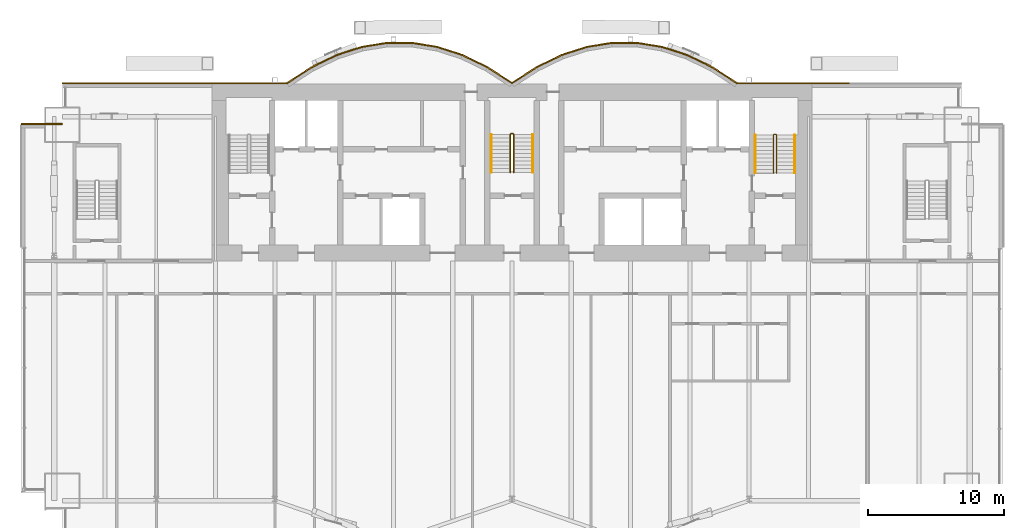
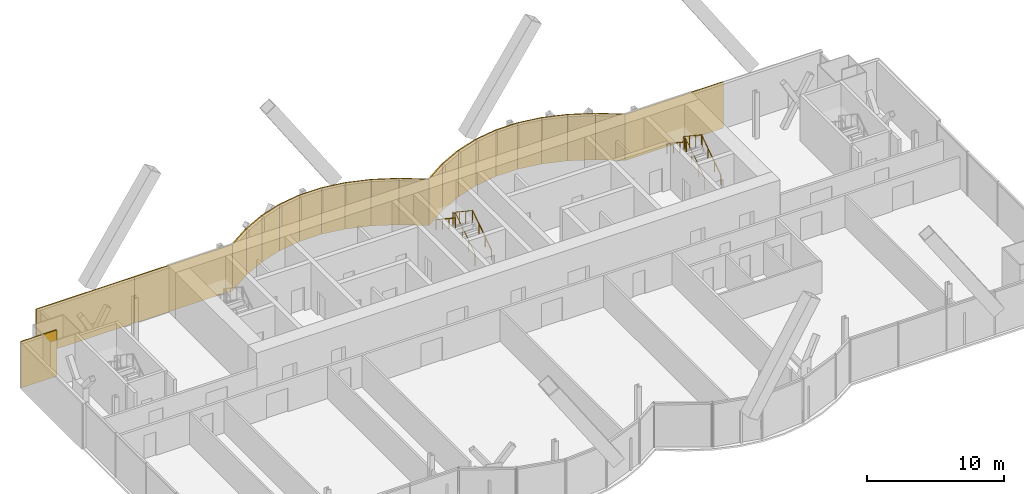
# One storey, part 20 of 21: 22 coverings, 6 railings.
"""IFC4 building model written with IfcOpenShell, lengths in metres."""

from ifc_helpers import new_model, si_unit, direction, frame, origin, origin_2d, place, context, subcontext, project, spatial, rectangle, circle, extrude, material, layer, layer_set, type_object, element, save


model = new_model("IFC4")

# Units and contexts
model_context = context("Model", 3, precision=1e-05, world=origin(), true_north=direction((0.0, 1.0)))
body_context = subcontext(model_context, "Body", "Model", "MODEL_VIEW")
ifc_project = project(units=[si_unit("LENGTHUNIT", "METRE"), si_unit("AREAUNIT", "SQUARE_METRE"), si_unit("VOLUMEUNIT", "CUBIC_METRE"), si_unit("PLANEANGLEUNIT", "RADIAN"), si_unit("MASSUNIT", "GRAM", prefix="KILO")], contexts=[model_context])

# Site, building, storey
site_placement = place(None, origin())
site = spatial("IfcSite", under=ifc_project, at=site_placement, CompositionType="ELEMENT")
building_placement = place(site_placement, origin())
building = spatial("IfcBuilding", under=site, at=building_placement, Name="Bicima Exchange Tower", CompositionType="ELEMENT")
storey_placement = place(building_placement, frame((0.0, 0.0, 195.0)))
storey = spatial("IfcBuildingStorey", under=building, at=storey_placement, Name="L43", CompositionType="ELEMENT", Elevation=195.0)

# Coverings
ifc_material_1 = material(Name="Bronze metal cladding")
ifc_layer_1 = layer(ifc_material_1, 0.004)
ifc_material_2 = material(Name="Ventilated cavity")
ifc_layer_2 = layer(ifc_material_2, 0.06)
ifc_material_3 = material(Name="Galvanised steel rail and mineral wool", Category="steel")
ifc_layer_3 = layer(ifc_material_3, 0.036)
ifc_layer_set = layer_set([ifc_layer_1, ifc_layer_2, ifc_layer_3], Name="Ventilated cavity")
covering_type = type_object("IfcCoveringType", Name="Bronze metal cladding panel 100", PredefinedType="CLADDING", material=ifc_layer_set)
covering_1_placement = place(storey_placement, frame((20.625, 0.050048828125, -0.150146484375), z_axis=(0.0, 0.0, 1.0), x_axis=(-1.0, 0.0, 0.0)))
element("IfcCovering", 1, at=covering_1_placement, inside=storey, type_object=covering_type, Name="Bronze cladding L43 1.2", PredefinedType="CLADDING", context=body_context, shape_type="SweptSolid", body=[
    extrude(rectangle(XDim=8.25, YDim=0.10009765625, at=origin_2d()), origin(), (0.0, 0.0, 1.0), 4.10009765625),
])
covering_2_placement = place(storey_placement, frame((15.610595703125, 0.634521484375, -0.150146484375), z_axis=(0.0, 0.0, 1.0), x_axis=(-0.839790466384, 0.542910648791, 0.0)))
element("IfcCovering", 2, at=covering_2_placement, inside=storey, type_object=covering_type, Name="Bronze cladding L43 2.1", PredefinedType="CLADDING", context=body_context, shape_type="SweptSolid", body=[
    extrude(rectangle(XDim=2.18310546875, YDim=0.10009765625, at=origin_2d()), origin(), (0.0, 0.0, 1.0), 4.10009765625),
])
covering_3_placement = place(storey_placement, frame((13.771728515625, 1.674560546875, -0.150146484375), z_axis=(0.0, 0.0, 1.0), x_axis=(-0.899818346812, 0.436264762204, 0.0)))
element("IfcCovering", 3, at=covering_3_placement, inside=storey, type_object=covering_type, Name="Bronze cladding L43 3.1", PredefinedType="CLADDING", context=body_context, shape_type="SweptSolid", body=[
    extrude(rectangle(XDim=2.03759765625, YDim=0.10009765625, at=origin_2d()), origin(), (0.0, 0.0, 1.0), 4.10009765625),
])
covering_4_placement = place(storey_placement, frame((11.931884765625, 2.41796875, -0.150146484375), z_axis=(0.0, 0.0, 1.0), x_axis=(-0.951524642381, 0.307572519808, 0.0)))
element("IfcCovering", 4, at=covering_4_placement, inside=storey, type_object=covering_type, Name="Bronze cladding L43 4.1", PredefinedType="CLADDING", context=body_context, shape_type="SweptSolid", body=[
    extrude(rectangle(XDim=1.9267578125, YDim=0.10009765625, at=origin_2d()), origin(), (0.0, 0.0, 1.0), 4.10009765625),
])
covering_5_placement = place(storey_placement, frame((10.09130859375, 2.8642578125, -0.150146484375), z_axis=(0.0, 0.0, 1.0), x_axis=(-0.987189786347, 0.159550386184, 0.0)))
element("IfcCovering", 5, at=covering_5_placement, inside=storey, type_object=covering_type, Name="Bronze cladding L43 5.1", PredefinedType="CLADDING", context=body_context, shape_type="SweptSolid", body=[
    extrude(rectangle(XDim=1.857177734375, YDim=0.10009765625, at=origin_2d()), origin(), (0.0, 0.0, 1.0), 4.10009765625),
])
covering_6_placement = place(storey_placement, frame((8.25, 3.012939453125, -0.150146484375), z_axis=(0.0, 0.0, 1.0), x_axis=(-1.0, 0.0, 0.0)))
element("IfcCovering", 6, at=covering_6_placement, inside=storey, type_object=covering_type, Name="Bronze cladding L43 6.1", PredefinedType="CLADDING", context=body_context, shape_type="SweptSolid", body=[
    extrude(rectangle(XDim=1.83349609375, YDim=0.10009765625, at=origin_2d()), origin(), (0.0, 0.0, 1.0), 4.10009765625),
])
covering_7_placement = place(storey_placement, frame((6.40869140625, 2.8642578125, -0.150146484375), z_axis=(0.0, 0.0, 1.0), x_axis=(-0.987189786347, -0.159550386184, 0.0)))
element("IfcCovering", 7, at=covering_7_placement, inside=storey, type_object=covering_type, Name="Bronze cladding L43 7.1", PredefinedType="CLADDING", context=body_context, shape_type="SweptSolid", body=[
    extrude(rectangle(XDim=1.857177734375, YDim=0.10009765625, at=origin_2d()), origin(), (0.0, 0.0, 1.0), 4.10009765625),
])
covering_8_placement = place(storey_placement, frame((4.568115234375, 2.41796875, -0.150146484375), z_axis=(0.0, 0.0, 1.0), x_axis=(-0.951524642381, -0.307572519808, 0.0)))
element("IfcCovering", 8, at=covering_8_placement, inside=storey, type_object=covering_type, Name="Bronze cladding L43 8.1", PredefinedType="CLADDING", context=body_context, shape_type="SweptSolid", body=[
    extrude(rectangle(XDim=1.9267578125, YDim=0.10009765625, at=origin_2d()), origin(), (0.0, 0.0, 1.0), 4.10009765625),
])
covering_9_placement = place(storey_placement, frame((2.728271484375, 1.674560546875, -0.150146484375), z_axis=(0.0, 0.0, 1.0), x_axis=(-0.899818346812, -0.436264762204, 0.0)))
element("IfcCovering", 9, at=covering_9_placement, inside=storey, type_object=covering_type, Name="Bronze cladding L43 9.1", PredefinedType="CLADDING", context=body_context, shape_type="SweptSolid", body=[
    extrude(rectangle(XDim=2.03759765625, YDim=0.10009765625, at=origin_2d()), origin(), (0.0, 0.0, 1.0), 4.10009765625),
])
for number, where, z_axis, x_axis, name in (
    (10, (0.889404296875, 0.634521484375, -0.150146484375), (0.0, 0.0, 1.0), (-0.839790466384, -0.542910648791, 0.0), "Bronze cladding L43 10.1"),
    (11, (-0.889404296875, 0.634521484375, -0.150146484375), (0.0, 0.0, 1.0), (-0.839790466384, 0.542910648791, 0.0), "Bronze cladding L43 11.1"),
):
    element("IfcCovering", number, at=place(storey_placement, frame(where, z_axis=z_axis, x_axis=x_axis)), inside=storey, type_object=covering_type, Name=name, PredefinedType="CLADDING", context=body_context, shape_type="SweptSolid", body=[
        extrude(rectangle(XDim=2.18310546875, YDim=0.10009765625, at=origin_2d()), origin(), (0.0, 0.0, 1.0), 4.10009765625),
    ])
covering_10_placement = place(storey_placement, frame((-2.728271484375, 1.674560546875, -0.150146484375), z_axis=(0.0, 0.0, 1.0), x_axis=(-0.899818346812, 0.436264762204, 0.0)))
element("IfcCovering", 12, at=covering_10_placement, inside=storey, type_object=covering_type, Name="Bronze cladding L43 12.1", PredefinedType="CLADDING", context=body_context, shape_type="SweptSolid", body=[
    extrude(rectangle(XDim=2.03759765625, YDim=0.10009765625, at=origin_2d()), origin(), (0.0, 0.0, 1.0), 4.10009765625),
])
covering_11_placement = place(storey_placement, frame((-4.568115234375, 2.41796875, -0.150146484375), z_axis=(0.0, 0.0, 1.0), x_axis=(-0.951524642381, 0.307572519808, 0.0)))
element("IfcCovering", 13, at=covering_11_placement, inside=storey, type_object=covering_type, Name="Bronze cladding L43 13.1", PredefinedType="CLADDING", context=body_context, shape_type="SweptSolid", body=[
    extrude(rectangle(XDim=1.9267578125, YDim=0.10009765625, at=origin_2d()), origin(), (0.0, 0.0, 1.0), 4.10009765625),
])
covering_12_placement = place(storey_placement, frame((-6.40869140625, 2.8642578125, -0.150146484375), z_axis=(0.0, 0.0, 1.0), x_axis=(-0.987189786347, 0.159550386184, 0.0)))
element("IfcCovering", 14, at=covering_12_placement, inside=storey, type_object=covering_type, Name="Bronze cladding L43 14.1", PredefinedType="CLADDING", context=body_context, shape_type="SweptSolid", body=[
    extrude(rectangle(XDim=1.857177734375, YDim=0.10009765625, at=origin_2d()), origin(), (0.0, 0.0, 1.0), 4.10009765625),
])
covering_13_placement = place(storey_placement, frame((-8.25, 3.012939453125, -0.150146484375), z_axis=(0.0, 0.0, 1.0), x_axis=(-1.0, 0.0, 0.0)))
element("IfcCovering", 15, at=covering_13_placement, inside=storey, type_object=covering_type, Name="Bronze cladding L43 15.1", PredefinedType="CLADDING", context=body_context, shape_type="SweptSolid", body=[
    extrude(rectangle(XDim=1.83349609375, YDim=0.10009765625, at=origin_2d()), origin(), (0.0, 0.0, 1.0), 4.10009765625),
])
covering_14_placement = place(storey_placement, frame((-10.09130859375, 2.8642578125, -0.150146484375), z_axis=(0.0, 0.0, 1.0), x_axis=(-0.987189786347, -0.159550386184, 0.0)))
element("IfcCovering", 16, at=covering_14_placement, inside=storey, type_object=covering_type, Name="Bronze cladding L43 16.1", PredefinedType="CLADDING", context=body_context, shape_type="SweptSolid", body=[
    extrude(rectangle(XDim=1.857177734375, YDim=0.10009765625, at=origin_2d()), origin(), (0.0, 0.0, 1.0), 4.10009765625),
])
covering_15_placement = place(storey_placement, frame((-11.931884765625, 2.41796875, -0.150146484375), z_axis=(0.0, 0.0, 1.0), x_axis=(-0.951524642381, -0.307572519808, 0.0)))
element("IfcCovering", 17, at=covering_15_placement, inside=storey, type_object=covering_type, Name="Bronze cladding L43 17.1", PredefinedType="CLADDING", context=body_context, shape_type="SweptSolid", body=[
    extrude(rectangle(XDim=1.9267578125, YDim=0.10009765625, at=origin_2d()), origin(), (0.0, 0.0, 1.0), 4.10009765625),
])
covering_16_placement = place(storey_placement, frame((-13.771728515625, 1.674560546875, -0.150146484375), z_axis=(0.0, 0.0, 1.0), x_axis=(-0.899818346812, -0.436264762204, 0.0)))
element("IfcCovering", 18, at=covering_16_placement, inside=storey, type_object=covering_type, Name="Bronze cladding L43 18.1", PredefinedType="CLADDING", context=body_context, shape_type="SweptSolid", body=[
    extrude(rectangle(XDim=2.03759765625, YDim=0.10009765625, at=origin_2d()), origin(), (0.0, 0.0, 1.0), 4.10009765625),
])
covering_17_placement = place(storey_placement, frame((-15.610595703125, 0.634521484375, -0.150146484375), z_axis=(0.0, 0.0, 1.0), x_axis=(-0.839790466384, -0.542910648791, 0.0)))
element("IfcCovering", 19, at=covering_17_placement, inside=storey, type_object=covering_type, Name="Bronze cladding L43 19.1", PredefinedType="CLADDING", context=body_context, shape_type="SweptSolid", body=[
    extrude(rectangle(XDim=2.18310546875, YDim=0.10009765625, at=origin_2d()), origin(), (0.0, 0.0, 1.0), 4.10009765625),
])
for number, where, z_axis, x_axis, name in (
    (20, (-20.625, 0.050048828125, -0.150146484375), (0.0, 0.0, 1.0), (-1.0, 0.0, 0.0), "Bronze cladding L43 20.1"),
    (21, (-28.875, 0.050048828125, -0.150146484375), (0.0, 0.0, 1.0), (-1.0, 0.0, 0.0), "Bronze cladding L43 20.2"),
):
    element("IfcCovering", number, at=place(storey_placement, frame(where, z_axis=z_axis, x_axis=x_axis)), inside=storey, type_object=covering_type, Name=name, PredefinedType="CLADDING", context=body_context, shape_type="SweptSolid", body=[
        extrude(rectangle(XDim=8.25, YDim=0.10009765625, at=origin_2d()), origin(), (0.0, 0.0, 1.0), 4.10009765625),
    ])
covering_18_placement = place(storey_placement, frame((-34.5, -2.949951171875, -0.150146484375), z_axis=(0.0, 0.0, 1.0), x_axis=(-1.0, 0.0, 0.0)))
element("IfcCovering", 22, at=covering_18_placement, inside=storey, type_object=covering_type, Name="Bronze cladding L43 22.1", PredefinedType="CLADDING", context=body_context, shape_type="SweptSolid", body=[
    extrude(rectangle(XDim=3.0, YDim=0.10009765625, at=origin_2d()), origin(), (0.0, 0.0, 1.0), 4.10009765625),
])

# Railings
ifc_material_4 = material(Name="Stainless steel", Category="steel")
railing_type_1 = type_object("IfcRailingType", Name="Stair guard 1100", PredefinedType="GUARDRAIL", material=ifc_material_4)
railing_1_placement = place(storey_placement, frame((0.125, -6.5, 0.186279296875)))
element("IfcRailing", 23, at=railing_1_placement, inside=storey, type_object=railing_type_1, Name="L43 ST-C stair guard 1", PredefinedType="GUARDRAIL", context=body_context, shape_type="SweptSolid", body=[
    extrude(circle(Radius=0.02392578125, at=origin_2d()), frame((0.0, 0.0, 1.076171875), z_axis=(0.0, 0.832452072856, 0.554097055034), x_axis=(-1.0, 0.0, 0.0)), (0.0, 0.0, 1.0), 3.363525390625),
    extrude(circle(Radius=0.02392578125, at=origin_2d()), frame((0.0, 2.800048828125, 2.93994140625), z_axis=(-0.707106781187, 0.707106781187, 0.0), x_axis=(-0.707106781187, -0.707106781187, 0.0)), (0.0, 0.0, 1.0), 0.07080078125),
    extrude(circle(Radius=0.02392578125, at=origin_2d()), frame((-0.050048828125, 2.85009765625, 2.93994140625), z_axis=(-1.0, 0.0, 0.0), x_axis=(0.0, -1.0, 0.0)), (0.0, 0.0, 1.0), 0.14990234375),
    extrude(circle(Radius=0.02392578125, at=origin_2d()), frame((-0.199951171875, 2.85009765625, 2.93994140625), z_axis=(-0.251157038772, -0.251157038772, 0.934794246747), x_axis=(0.707106781187, -0.707106781187, 0.0)), (0.0, 0.0, 1.0), 0.19921875),
    extrude(circle(Radius=0.02392578125, at=origin_2d()), frame((-0.25, 2.800048828125, 3.1259765625), z_axis=(0.0, -0.832452072856, 0.554097055034), x_axis=(1.0, 0.0, 0.0)), (0.0, 0.0, 1.0), 3.363525390625),
    extrude(circle(Radius=0.02099609375, at=origin_2d()), origin(), (0.0, 0.0, 1.0), 1.052001953125),
    extrude(circle(Radius=0.02099609375, at=origin_2d()), frame((0.0, 0.933349609375, 0.621337890625)), (0.0, 0.0, 1.0), 1.052001953125),
    extrude(circle(Radius=0.02099609375, at=origin_2d()), frame((0.0, 1.86669921875, 1.242431640625)), (0.0, 0.0, 1.0), 1.052001953125),
    extrude(circle(Radius=0.02099609375, at=origin_2d()), frame((0.0, 2.800048828125, 1.86376953125)), (0.0, 0.0, 1.0), 1.052001953125),
    extrude(circle(Radius=0.02099609375, at=origin_2d()), frame((-0.050048828125, 2.85009765625, 1.86376953125)), (0.0, 0.0, 1.0), 1.052001953125),
    extrude(circle(Radius=0.02099609375, at=origin_2d()), frame((-0.199951171875, 2.85009765625, 1.86376953125)), (0.0, 0.0, 1.0), 1.052001953125),
    extrude(circle(Radius=0.02099609375, at=origin_2d()), frame((-0.25, 2.800048828125, 2.050048828125)), (0.0, 0.0, 1.0), 1.052001953125),
    extrude(circle(Radius=0.02099609375, at=origin_2d()), frame((-0.25, 1.86669921875, 2.67138671875)), (0.0, 0.0, 1.0), 1.052001953125),
    extrude(circle(Radius=0.02099609375, at=origin_2d()), frame((-0.25, 0.933349609375, 3.29248046875)), (0.0, 0.0, 1.0), 1.052001953125),
    extrude(circle(Radius=0.02099609375, at=origin_2d()), frame((-0.25, 0.0, 3.913818359375)), (0.0, 0.0, 1.0), 1.052001953125),
])
railing_2_placement = place(storey_placement, frame((19.39990234375, -6.550048828125, 0.186279296875)))
element("IfcRailing", 24, at=railing_2_placement, inside=storey, type_object=railing_type_1, Name="L43 ST-E stair guard 1", PredefinedType="GUARDRAIL", context=body_context, shape_type="SweptSolid", body=[
    extrude(circle(Radius=0.02392578125, at=origin_2d()), frame((0.0, 0.0, 1.076171875), z_axis=(0.0, 0.832452072856, 0.554097055034), x_axis=(-1.0, 0.0, 0.0)), (0.0, 0.0, 1.0), 3.363525390625),
    extrude(circle(Radius=0.02392578125, at=origin_2d()), frame((0.0, 2.800048828125, 2.93994140625), z_axis=(-0.705375805398, 0.708833529934, 0.0), x_axis=(-0.708833529934, -0.705375805398, 0.0)), (0.0, 0.0, 1.0), 0.070556640625),
    extrude(circle(Radius=0.02392578125, at=origin_2d()), frame((-0.0498046875, 2.85009765625, 2.93994140625), z_axis=(-1.0, 0.0, 0.0), x_axis=(0.0, -1.0, 0.0)), (0.0, 0.0, 1.0), 0.10009765625),
    extrude(circle(Radius=0.02392578125, at=origin_2d()), frame((-0.14990234375, 2.85009765625, 2.93994140625), z_axis=(-0.251157038772, -0.251157038772, 0.934794246747), x_axis=(0.707106781187, -0.707106781187, 0.0)), (0.0, 0.0, 1.0), 0.19921875),
    extrude(circle(Radius=0.02392578125, at=origin_2d()), frame((-0.199951171875, 2.800048828125, 3.1259765625), z_axis=(0.0, -0.832452072856, 0.554097055034), x_axis=(1.0, 0.0, 0.0)), (0.0, 0.0, 1.0), 3.363525390625),
    extrude(circle(Radius=0.02099609375, at=origin_2d()), origin(), (0.0, 0.0, 1.0), 1.052001953125),
    extrude(circle(Radius=0.02099609375, at=origin_2d()), frame((0.0, 0.933349609375, 0.621337890625)), (0.0, 0.0, 1.0), 1.052001953125),
    extrude(circle(Radius=0.02099609375, at=origin_2d()), frame((0.0, 1.86669921875, 1.242431640625)), (0.0, 0.0, 1.0), 1.052001953125),
    extrude(circle(Radius=0.02099609375, at=origin_2d()), frame((0.0, 2.800048828125, 1.86376953125)), (0.0, 0.0, 1.0), 1.052001953125),
    extrude(circle(Radius=0.02099609375, at=origin_2d()), frame((-0.0498046875, 2.85009765625, 1.86376953125)), (0.0, 0.0, 1.0), 1.052001953125),
    extrude(circle(Radius=0.02099609375, at=origin_2d()), frame((-0.14990234375, 2.85009765625, 1.86376953125)), (0.0, 0.0, 1.0), 1.052001953125),
    extrude(circle(Radius=0.02099609375, at=origin_2d()), frame((-0.199951171875, 2.800048828125, 2.050048828125)), (0.0, 0.0, 1.0), 1.052001953125),
    extrude(circle(Radius=0.02099609375, at=origin_2d()), frame((-0.199951171875, 1.86669921875, 2.67138671875)), (0.0, 0.0, 1.0), 1.052001953125),
    extrude(circle(Radius=0.02099609375, at=origin_2d()), frame((-0.199951171875, 0.933349609375, 3.29248046875)), (0.0, 0.0, 1.0), 1.052001953125),
    extrude(circle(Radius=0.02099609375, at=origin_2d()), frame((-0.199951171875, 0.0, 3.913818359375)), (0.0, 0.0, 1.0), 1.052001953125),
])
railing_type_2 = type_object("IfcRailingType", Name="Stair handrail 900", PredefinedType="HANDRAIL", material=ifc_material_4)
railing_3_placement = place(storey_placement, frame((1.52490234375, -6.5, 0.186279296875)))
element("IfcRailing", 25, at=railing_3_placement, inside=storey, type_object=railing_type_2, Name="L43 ST-C stair handrail 1", PredefinedType="HANDRAIL", context=body_context, shape_type="SweptSolid", body=[
    extrude(circle(Radius=0.02392578125, at=origin_2d()), frame((0.0, 0.0, 0.8759765625), z_axis=(0.0, 0.832452072856, 0.554097055034), x_axis=(-1.0, 0.0, 0.0)), (0.0, 0.0, 1.0), 3.363525390625),
    extrude(circle(Radius=0.02099609375, at=origin_2d()), origin(), (0.0, 0.0, 1.0), 0.851806640625),
    extrude(circle(Radius=0.02099609375, at=origin_2d()), frame((0.0, 0.933349609375, 0.621337890625)), (0.0, 0.0, 1.0), 0.851806640625),
    extrude(circle(Radius=0.02099609375, at=origin_2d()), frame((0.0, 1.86669921875, 1.242431640625)), (0.0, 0.0, 1.0), 0.851806640625),
    extrude(circle(Radius=0.02099609375, at=origin_2d()), frame((0.0, 2.800048828125, 1.86376953125)), (0.0, 0.0, 1.0), 0.851806640625),
])
railing_4_placement = place(storey_placement, frame((-1.52490234375, -3.699951171875, 2.27685546875)))
element("IfcRailing", 26, at=railing_4_placement, inside=storey, type_object=railing_type_2, Name="L43 ST-C stair handrail 2", PredefinedType="HANDRAIL", context=body_context, shape_type="SweptSolid", body=[
    extrude(circle(Radius=0.02392578125, at=origin_2d()), frame((0.0, 0.0, 0.8759765625), z_axis=(0.0, -0.832485552168, 0.554046753832), x_axis=(1.0, 0.0, 0.0)), (0.0, 0.0, 1.0), 3.363525390625),
    extrude(circle(Radius=0.02099609375, at=origin_2d()), origin(), (0.0, 0.0, 1.0), 0.851806640625),
    extrude(circle(Radius=0.02099609375, at=origin_2d()), frame((0.0, -0.933349609375, 0.62109375)), (0.0, 0.0, 1.0), 0.851806640625),
    extrude(circle(Radius=0.02099609375, at=origin_2d()), frame((0.0, -1.86669921875, 1.242431640625)), (0.0, 0.0, 1.0), 0.851806640625),
    extrude(circle(Radius=0.02099609375, at=origin_2d()), frame((0.0, -2.800048828125, 1.863525390625)), (0.0, 0.0, 1.0), 0.851806640625),
])
railing_5_placement = place(storey_placement, frame((20.75, -6.550048828125, 0.186279296875)))
element("IfcRailing", 27, at=railing_5_placement, inside=storey, type_object=railing_type_2, Name="L43 ST-E stair handrail 1", PredefinedType="HANDRAIL", context=body_context, shape_type="SweptSolid", body=[
    extrude(circle(Radius=0.02392578125, at=origin_2d()), frame((0.0, 0.0, 0.8759765625), z_axis=(0.0, 0.832452072856, 0.554097055034), x_axis=(-1.0, 0.0, 0.0)), (0.0, 0.0, 1.0), 3.363525390625),
    extrude(circle(Radius=0.02099609375, at=origin_2d()), origin(), (0.0, 0.0, 1.0), 0.851806640625),
    extrude(circle(Radius=0.02099609375, at=origin_2d()), frame((0.0, 0.933349609375, 0.621337890625)), (0.0, 0.0, 1.0), 0.851806640625),
    extrude(circle(Radius=0.02099609375, at=origin_2d()), frame((0.0, 1.86669921875, 1.242431640625)), (0.0, 0.0, 1.0), 0.851806640625),
    extrude(circle(Radius=0.02099609375, at=origin_2d()), frame((0.0, 2.800048828125, 1.86376953125)), (0.0, 0.0, 1.0), 0.851806640625),
])
railing_6_placement = place(storey_placement, frame((17.85009765625, -3.75, 2.27685546875)))
element("IfcRailing", 28, at=railing_6_placement, inside=storey, type_object=railing_type_2, Name="L43 ST-E stair handrail 2", PredefinedType="HANDRAIL", context=body_context, shape_type="SweptSolid", body=[
    extrude(circle(Radius=0.02392578125, at=origin_2d()), frame((0.0, 0.0, 0.8759765625), z_axis=(0.0, -0.832485552168, 0.554046753832), x_axis=(1.0, 0.0, 0.0)), (0.0, 0.0, 1.0), 3.363525390625),
    extrude(circle(Radius=0.02099609375, at=origin_2d()), origin(), (0.0, 0.0, 1.0), 0.851806640625),
    extrude(circle(Radius=0.02099609375, at=origin_2d()), frame((0.0, -0.933349609375, 0.62109375)), (0.0, 0.0, 1.0), 0.851806640625),
    extrude(circle(Radius=0.02099609375, at=origin_2d()), frame((0.0, -1.86669921875, 1.242431640625)), (0.0, 0.0, 1.0), 0.851806640625),
    extrude(circle(Radius=0.02099609375, at=origin_2d()), frame((0.0, -2.800048828125, 1.863525390625)), (0.0, 0.0, 1.0), 0.851806640625),
])

save(model, "model.ifc")
